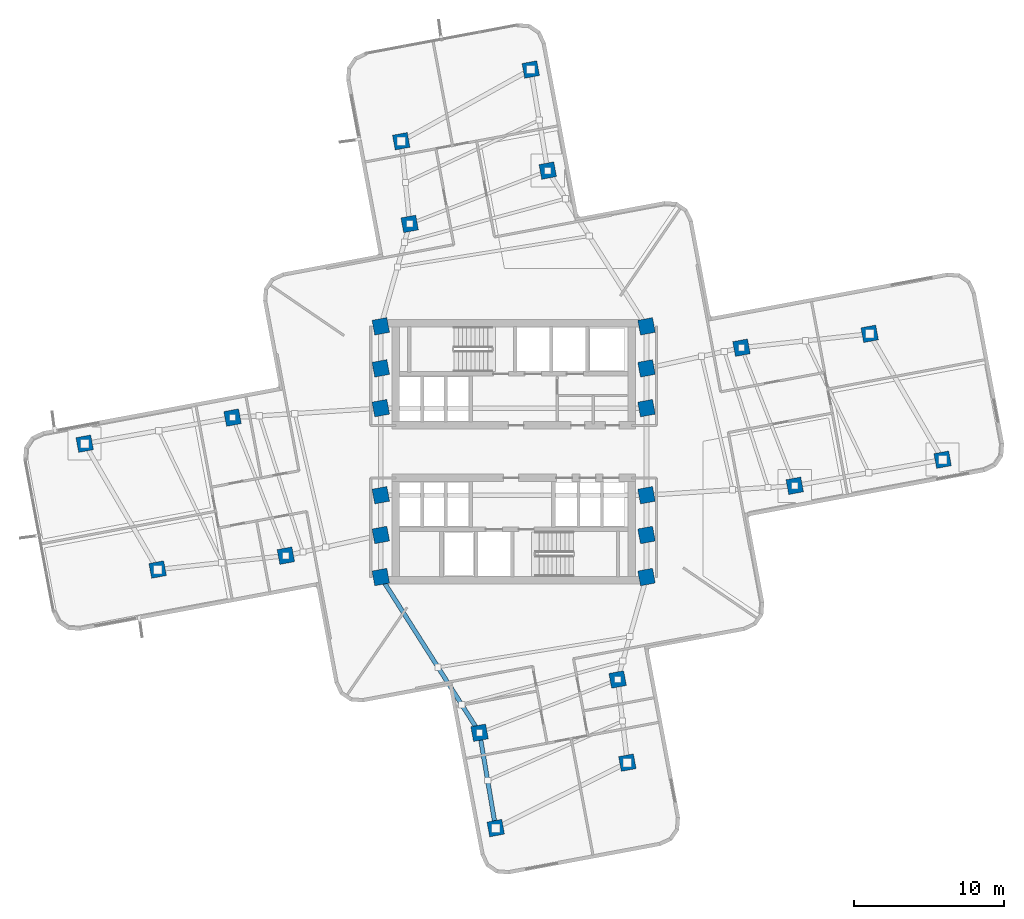
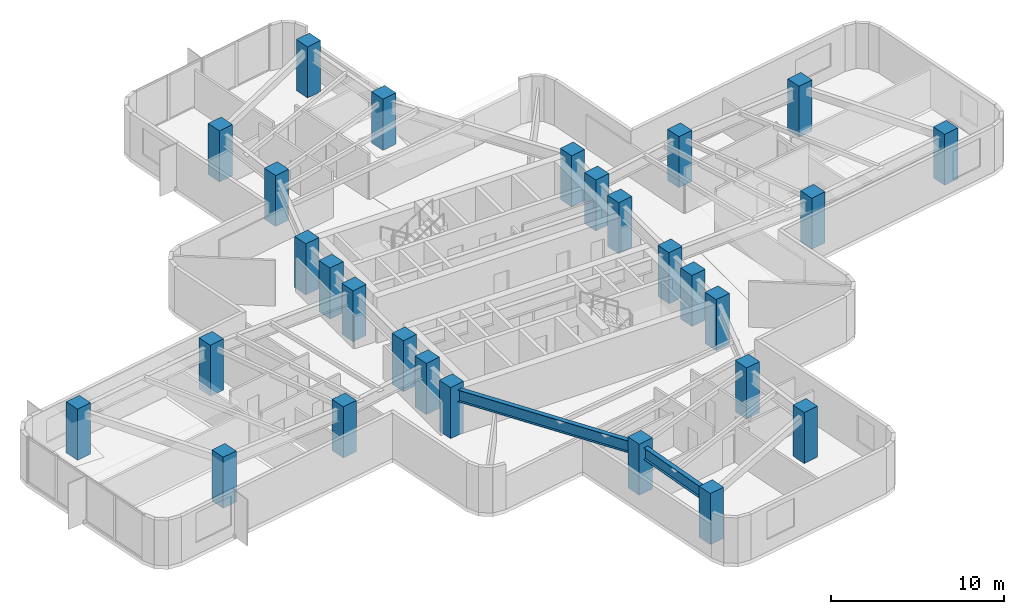
# One storey, part 1 of 12: 28 columns, 2 beams.
"""IFC4 building model written with IfcOpenShell, lengths in metres."""

from ifc_helpers import new_model, si_unit, direction, frame, origin, origin_2d, place, context, subcontext, project, spatial, rectangle, i_section, extrude, material, material_profile, profile_set, type_object, element, save


model = new_model("IFC4")

# Units and contexts
model_context = context("Model", 3, precision=1e-05, world=origin(), true_north=direction((0.0, 1.0)))
body_context = subcontext(model_context, "Body", "Model", "MODEL_VIEW")
ifc_project = project(units=[si_unit("LENGTHUNIT", "METRE"), si_unit("AREAUNIT", "SQUARE_METRE"), si_unit("VOLUMEUNIT", "CUBIC_METRE"), si_unit("PLANEANGLEUNIT", "RADIAN"), si_unit("MASSUNIT", "GRAM", prefix="KILO")], contexts=[model_context])

# Site, building, storey
site_placement = place(None, origin())
site = spatial("IfcSite", under=ifc_project, at=site_placement, CompositionType="ELEMENT")
building_placement = place(site_placement, origin())
building = spatial("IfcBuilding", under=site, at=building_placement, Name="Solmarez Civic Tower", CompositionType="ELEMENT")
storey_placement = place(building_placement, frame((0.0, 0.0, 103.679931640625)))
storey = spatial("IfcBuildingStorey", under=building, at=storey_placement, Name="L27", CompositionType="ELEMENT", Elevation=103.679931640625)

# Columns
ifc_material_1 = material(Name="Concrete C60/75", Category="concrete")
ifc_material_profile_1 = material_profile(ifc_material_1, rectangle(XDim=1.0, YDim=1.0, at=origin_2d()), Name="RC1000X1000")
ifc_profile_set_1 = profile_set([ifc_material_profile_1], Name="Concrete C60/75")
column_type = type_object("IfcColumnType", Name="COL-RC1000", PredefinedType="COLUMN", material=ifc_profile_set_1)
for number, where, z_axis, x_axis, name in (
    (1, (-8.85009765625, -5.550048828125, 0.0), (0.0, 0.0, 1.0), (0.98293534915, 0.183951350613, 0.0), "L27 Structural Column HC1"),
    (2, (-8.85009765625, -2.89990234375, 0.0), (0.0, 0.0, 1.0), (0.98293534915, 0.183951350613, 0.0), "L27 Structural Column HC2"),
    (3, (-8.85009765625, 2.89990234375, 0.0), (0.0, 0.0, 1.0), (0.98293534915, 0.183951350613, 0.0), "L27 Structural Column HC3"),
    (4, (-8.85009765625, 5.550048828125, 0.0), (0.0, 0.0, 1.0), (0.98293534915, 0.183951350613, 0.0), "L27 Structural Column HC4"),
    (5, (8.85009765625, -5.550048828125, 0.0), (0.0, 0.0, 1.0), (0.98293534915, 0.183951350613, 0.0), "L27 Structural Column HC5"),
    (6, (8.85009765625, -2.89990234375, 0.0), (0.0, 0.0, 1.0), (0.98293534915, 0.183951350613, 0.0), "L27 Structural Column HC6"),
    (7, (8.85009765625, 2.89990234375, 0.0), (0.0, 0.0, 1.0), (0.98293534915, 0.183951350613, 0.0), "L27 Structural Column HC7"),
    (8, (8.85009765625, 5.550048828125, 0.0), (0.0, 0.0, 1.0), (0.98293534915, 0.183951350613, 0.0), "L27 Structural Column HC8"),
    (9, (-8.85009765625, 8.35009765625, 0.0), (0.0, 0.0, 1.0), (0.98293534915, 0.183951350613, 0.0), "L27 Structural Column HC9"),
    (10, (8.85009765625, -8.35009765625, 0.0), (0.0, 0.0, 1.0), (0.98293534915, 0.183951350613, 0.0), "L27 Structural Column HC10"),
    (11, (8.85009765625, 8.35009765625, 0.0), (0.0, 0.0, 1.0), (0.98293534915, 0.183951350613, 0.0), "L27 Structural Column HC11"),
    (12, (-8.85009765625, -8.35009765625, 0.0), (0.0, 0.0, 1.0), (0.98293534915, 0.183951350613, 0.0), "L27 Structural Column HC12"),
    (13, (18.72412109375, -2.27099609375, 0.0), (0.0, 0.0, 1.0), (0.98293534915, 0.183951350613, 0.0), "L27 Structural Column EA11"),
    (14, (15.175048828125, 6.927001953125, 0.0), (0.0, 0.0, 1.0), (0.98293534915, 0.183951350613, 0.0), "L27 Structural Column EA12"),
    (15, (28.575927734375, -0.532958984375, 0.0), (0.0, 0.0, 1.0), (0.98293534915, 0.183951350613, 0.0), "L27 Structural Column EA21"),
    (16, (23.715087890625, 7.85107421875, 0.0), (0.0, 0.0, 1.0), (0.98293534915, 0.183951350613, 0.0), "L27 Structural Column EA22"),
    (17, (2.27099609375, 18.72412109375, 0.0), (0.0, 0.0, 1.0), (0.98293534915, 0.183951350613, 0.0), "L27 Structural Column NA11"),
    (18, (-6.927001953125, 15.175048828125, 0.0), (0.0, 0.0, 1.0), (0.98293534915, 0.183951350613, 0.0), "L27 Structural Column NA12"),
    (19, (1.138916015625, 25.45703125, 0.0), (0.0, 0.0, 1.0), (0.98293534915, 0.183951350613, 0.0), "L27 Structural Column NA21"),
    (20, (-7.489013671875, 20.678955078125, 0.0), (0.0, 0.0, 1.0), (0.98293534915, 0.183951350613, 0.0), "L27 Structural Column NA22"),
    (21, (-18.72412109375, 2.27099609375, 0.0), (0.0, 0.0, 1.0), (0.98293534915, 0.183951350613, 0.0), "L27 Structural Column WA11"),
    (22, (-15.175048828125, -6.927001953125, 0.0), (0.0, 0.0, 1.0), (0.98293534915, 0.183951350613, 0.0), "L27 Structural Column WA12"),
    (23, (-28.575927734375, 0.532958984375, 0.0), (0.0, 0.0, 1.0), (0.98293534915, 0.183951350613, 0.0), "L27 Structural Column WA21"),
    (24, (-23.715087890625, -7.85107421875, 0.0), (0.0, 0.0, 1.0), (0.98293534915, 0.183951350613, 0.0), "L27 Structural Column WA22"),
    (25, (-2.27099609375, -18.72412109375, 0.0), (0.0, 0.0, 1.0), (0.98293534915, 0.183951350613, 0.0), "L27 Structural Column SA11"),
    (26, (6.927001953125, -15.175048828125, 0.0), (0.0, 0.0, 1.0), (0.98293534915, 0.183951350613, 0.0), "L27 Structural Column SA12"),
    (27, (-1.195068359375, -25.073974609375, 0.0), (0.0, 0.0, 1.0), (0.98293534915, 0.183951350613, 0.0), "L27 Structural Column SA21"),
    (28, (7.573974609375, -20.714111328125, 0.0), (0.0, 0.0, 1.0), (0.98293534915, 0.183951350613, 0.0), "L27 Structural Column SA22"),
):
    element("IfcColumn", number, at=place(storey_placement, frame(where, z_axis=z_axis, x_axis=x_axis)), inside=storey, type_object=column_type, Name=name, PredefinedType="COLUMN", context=body_context, shape_type="SweptSolid", body=[
        extrude(rectangle(XDim=1.0, YDim=1.0, at=origin_2d()), origin(), (0.0, 0.0, 1.0), 3.60009765625),
    ])

# Beams
ifc_material_2 = material(Name="Steel S355", Category="steel")
ifc_material_profile_2 = material_profile(ifc_material_2, i_section(OverallWidth=0.2919921875, OverallDepth=0.845947265625, WebThickness=0.015380859375, FlangeThickness=0.0244140625, at=origin_2d()), Name="W33X141")
ifc_profile_set_2 = profile_set([ifc_material_profile_2], Name="Steel S355")
beam_type = type_object("IfcBeamType", Name="BM-PR-W33X141", PredefinedType="BEAM", material=ifc_profile_set_2)
beam_1_placement = place(storey_placement, frame((-8.85009765625, -8.35009765625, 2.777099609375), z_axis=(0.535568299099, -0.84449191648, 0.0), x_axis=(0.84449191648, 0.535568299099, 0.0)))
element("IfcBeam", 29, at=beam_1_placement, inside=storey, type_object=beam_type, Name="L27 Primary Floor Beam BM-L27-SA-R1A", PredefinedType="BEAM", context=body_context, shape_type="SweptSolid", body=[
    extrude(i_section(OverallWidth=0.2919921875, OverallDepth=0.845947265625, WebThickness=0.015380859375, FlangeThickness=0.0244140625, at=origin_2d()), origin(), (0.0, 0.0, 1.0), 12.284423828125),
])
beam_2_placement = place(storey_placement, frame((-2.27099609375, -18.72412109375, 2.777099609375), z_axis=(0.167060138422, -0.985946707561, 0.0), x_axis=(0.985946707561, 0.167060138422, 0.0)))
element("IfcBeam", 30, at=beam_2_placement, inside=storey, type_object=beam_type, Name="L27 Primary Floor Beam BM-L27-SA-R2A", PredefinedType="BEAM", context=body_context, shape_type="SweptSolid", body=[
    extrude(i_section(OverallWidth=0.2919921875, OverallDepth=0.845947265625, WebThickness=0.015380859375, FlangeThickness=0.0244140625, at=origin_2d()), origin(), (0.0, 0.0, 1.0), 6.4404296875),
])

save(model, "model.ifc")
